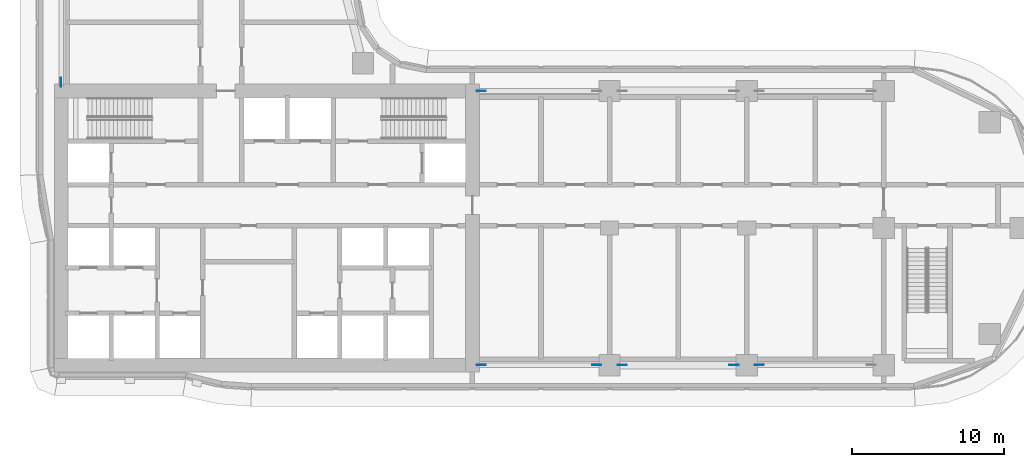
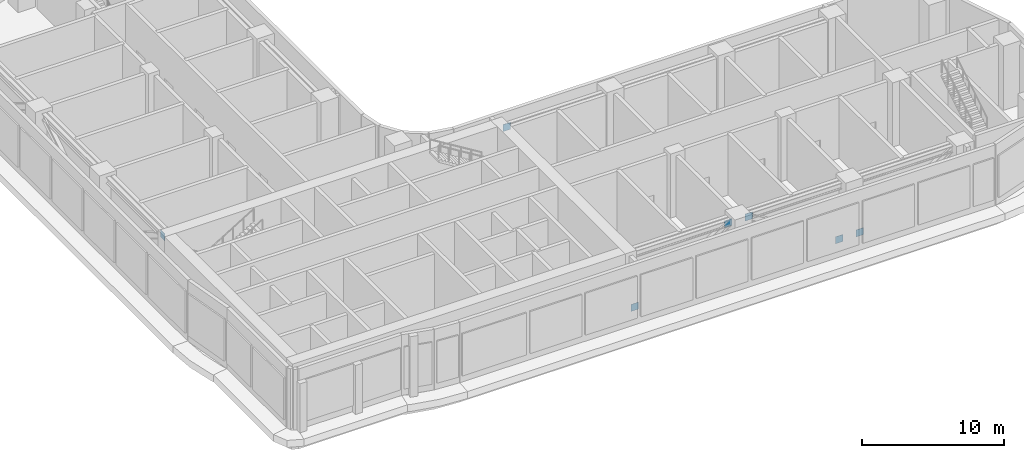
# One storey, part 12 of 23: 7 discrete accessories.
"""IFC4 building model written with IfcOpenShell, lengths in metres."""

from ifc_helpers import new_model, si_unit, direction, frame, origin, origin_2d, place, context, subcontext, project, spatial, rectangle, extrude, material, layer, layer_set, type_object, element, save


model = new_model("IFC4")

# Units and contexts
model_context = context("Model", 3, precision=1e-05, world=origin(), true_north=direction((0.0, 1.0)))
body_context = subcontext(model_context, "Body", "Model", "MODEL_VIEW")
ifc_project = project(units=[si_unit("LENGTHUNIT", "METRE"), si_unit("AREAUNIT", "SQUARE_METRE"), si_unit("VOLUMEUNIT", "CUBIC_METRE"), si_unit("PLANEANGLEUNIT", "RADIAN"), si_unit("MASSUNIT", "GRAM", prefix="KILO")], contexts=[model_context])

# Site, building, storey
site_placement = place(None, origin())
site = spatial("IfcSite", under=ifc_project, at=site_placement, CompositionType="ELEMENT")
building_placement = place(site_placement, origin())
building = spatial("IfcBuilding", under=site, at=building_placement, Name="Ogive Portal Towers", CompositionType="ELEMENT")
storey_placement = place(building_placement, frame((0.0, 0.0, 81.60009765625)))
storey = spatial("IfcBuildingStorey", under=building, at=storey_placement, Name="L19", CompositionType="ELEMENT", Elevation=81.60009765625)

# Discrete accessories
ifc_material = material(Name="Steel S355", Category="steel")
ifc_layer = layer(ifc_material, 0.02001953125)
ifc_layer_set = layer_set([ifc_layer], Name="GUSSET PLATE 600x600x20")
discrete_accessory_type = type_object("IfcDiscreteAccessoryType", Name="GUSSET PLATE 600x600x20", PredefinedType="BRACKET", material=ifc_layer_set)
for number, where, z_axis, x_axis, name in (
    (1, (59.078857421875, 21.5, 0.03857421875), (0.0, 0.0, 1.0), (1.0, 0.0, 0.0), "Gusset plate"),
    (2, (66.671142578125, 21.5, 4.56103515625), (0.0, 0.0, 1.0), (1.0, 0.0, 0.0), "Gusset plate"),
    (3, (68.327880859375, 21.5, 4.559326171875), (0.0, 0.0, 1.0), (1.0, 0.0, 0.0), "Gusset plate"),
    (4, (75.672119140625, 21.5, 0.04052734375), (0.0, 0.0, 1.0), (1.0, 0.0, 0.0), "Gusset plate"),
    (5, (77.327880859375, 21.5, 0.04052734375), (0.0, 0.0, 1.0), (1.0, 0.0, 0.0), "Gusset plate"),
    (6, (59.078857421875, 39.5, 4.56103515625), (0.0, 0.0, 1.0), (-1.0, 0.0, 0.0), "Gusset plate"),
    (7, (31.5, 40.078857421875, 4.56103515625), (0.0, 0.0, 1.0), (0.0, -1.0, 0.0), "Gusset plate"),
):
    element("IfcDiscreteAccessory", number, at=place(storey_placement, frame(where, z_axis=z_axis, x_axis=x_axis)), inside=storey, type_object=discrete_accessory_type, Name=name, PredefinedType="BRACKET", context=body_context, shape_type="SweptSolid", body=[
        extrude(rectangle(XDim=0.60009765625, YDim=0.02001953125, at=origin_2d()), origin(), (0.0, 0.0, 1.0), 0.60009765625),
    ])

save(model, "model.ifc")
